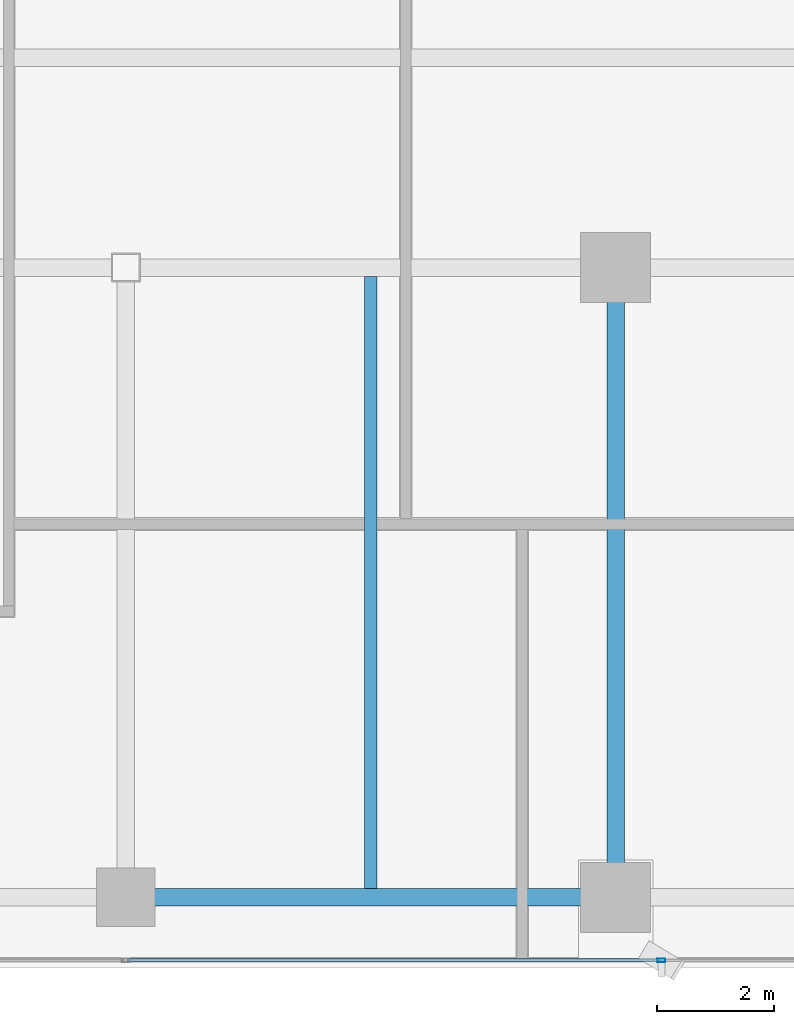
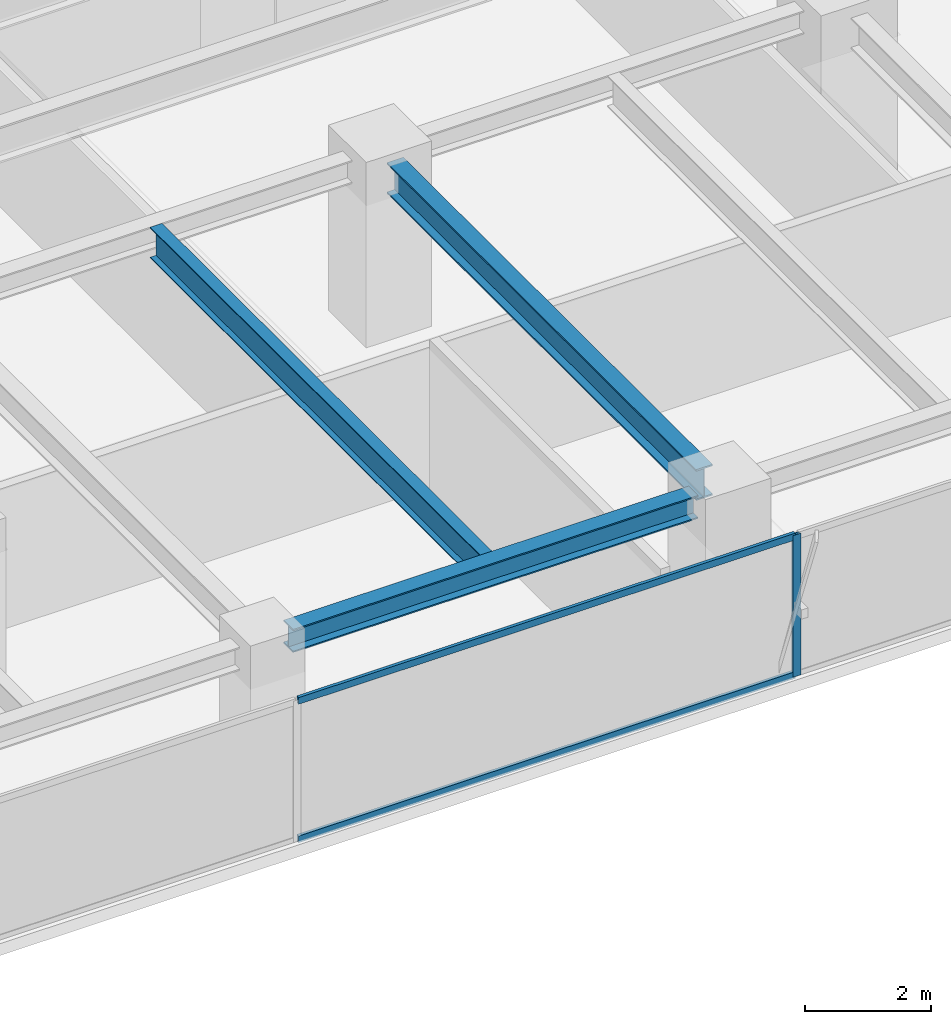
# One storey, part 7 of 26: 3 beams, 3 members, 1 element without a shape of its own.
"""IFC4 building model written with IfcOpenShell, lengths in metres."""

from ifc_helpers import new_model, si_unit, direction, frame, origin, origin_2d, place, context, subcontext, project, spatial, hollow_rectangle, i_section, extrude, source, transform, mapped, material, layer, layer_set, material_profile, profile_set, type_object, element, aggregate, save


model = new_model("IFC4")

# Units and contexts
model_context = context("Model", 3, precision=1e-05, world=origin(), true_north=direction((0.0, 1.0)))
body_context = subcontext(model_context, "Body", "Model", "MODEL_VIEW")
ifc_project = project(units=[si_unit("LENGTHUNIT", "METRE"), si_unit("AREAUNIT", "SQUARE_METRE"), si_unit("VOLUMEUNIT", "CUBIC_METRE"), si_unit("PLANEANGLEUNIT", "RADIAN"), si_unit("MASSUNIT", "GRAM", prefix="KILO")], contexts=[model_context])

# Site, building, storey
site_placement = place(None, origin())
site = spatial("IfcSite", under=ifc_project, at=site_placement, CompositionType="ELEMENT")
building_placement = place(site_placement, origin())
building = spatial("IfcBuilding", under=site, at=building_placement, Name="Sumidabori Civic Tower", CompositionType="ELEMENT")
storey_placement = place(building_placement, frame((0.0, 0.0, 264.800048828125)))
storey = spatial("IfcBuildingStorey", under=building, at=storey_placement, Name="L69", CompositionType="ELEMENT", Elevation=264.800048828125)

# Beams
ifc_material_1 = material(Name="Steel SN490", Category="steel")
ifc_material_profile_1 = material_profile(ifc_material_1, i_section(OverallWidth=0.300048828125, OverallDepth=0.60009765625, WebThickness=0.015380859375, FlangeThickness=0.030029296875, at=origin_2d()), Name="HE 600 B")
ifc_profile_set_1 = profile_set([ifc_material_profile_1], Name="Steel SN490")
beam_type_1 = type_object("IfcBeamType", Name="BM-GIRD-600", PredefinedType="BEAM", material=ifc_profile_set_1)
shared_shape_1 = source(origin(), body_context, "Body", "SweptSolid", [
    extrude(i_section(OverallWidth=0.300048828125, OverallDepth=0.60009765625, WebThickness=0.015380859375, FlangeThickness=0.030029296875, at=origin_2d()), origin(), (0.0, 0.0, 1.0), 9.840087890625),
])
beam_1_placement = place(storey_placement, frame((8.39990234375, -10.320068359375, 3.070068359375), z_axis=(0.0, 1.0, 0.0), x_axis=(-1.0, 0.0, 0.0)))
element("IfcBeam", 1, at=beam_1_placement, inside=storey, type_object=beam_type_1, Name="Primary Girder L69 GY-14", PredefinedType="BEAM", context=body_context, shape_type="MappedRepresentation", body=[
    mapped(shared_shape_1, transform((0.0, 0.0, 0.0), x_axis=(1.0, 0.0, 0.0), y_axis=(0.0, 1.0, 0.0), z_axis=(0.0, 0.0, 1.0), scale=1.0)),
])
ifc_material_profile_2 = material_profile(ifc_material_1, i_section(OverallWidth=0.300048828125, OverallDepth=0.449951171875, WebThickness=0.013916015625, FlangeThickness=0.02587890625, at=origin_2d()), Name="HE 450 B")
ifc_profile_set_2 = profile_set([ifc_material_profile_2], Name="Steel SN490")
beam_type_2 = type_object("IfcBeamType", Name="BM-GIRD-450", PredefinedType="BEAM", material=ifc_profile_set_2)
shared_shape_2 = source(origin(), body_context, "Body", "SweptSolid", [
    extrude(i_section(OverallWidth=0.300048828125, OverallDepth=0.449951171875, WebThickness=0.013916015625, FlangeThickness=0.02587890625, at=origin_2d()), origin(), (0.0, 0.0, 1.0), 7.43994140625),
])
beam_2_placement = place(storey_placement, frame((0.47998046875, -10.800048828125, 3.14501953125), z_axis=(1.0, 0.0, 0.0), x_axis=(0.0, 1.0, 0.0)))
element("IfcBeam", 2, at=beam_2_placement, inside=storey, type_object=beam_type_2, Name="Primary Girder L69 GX-03", PredefinedType="BEAM", context=body_context, shape_type="MappedRepresentation", body=[
    mapped(shared_shape_2, transform((0.0, 0.0, 0.0), x_axis=(1.0, 0.0, 0.0), y_axis=(0.0, 1.0, 0.0), z_axis=(0.0, 0.0, 1.0), scale=1.0)),
])
ifc_material_profile_3 = material_profile(ifc_material_1, i_section(OverallWidth=0.219970703125, OverallDepth=0.60009765625, WebThickness=0.011962890625, FlangeThickness=0.01904296875, at=origin_2d()), Name="IPE 600")
ifc_profile_set_3 = profile_set([ifc_material_profile_3], Name="Steel SN490")
beam_type_3 = type_object("IfcBeamType", Name="BM-JST-600", PredefinedType="JOIST", material=ifc_profile_set_3)
shared_shape_3 = source(origin(), body_context, "Body", "SweptSolid", [
    extrude(i_section(OverallWidth=0.219970703125, OverallDepth=0.60009765625, WebThickness=0.011962890625, FlangeThickness=0.01904296875, at=origin_2d()), origin(), (0.0, 0.0, 1.0), 10.5),
])
beam_3_placement = place(storey_placement, frame((4.199951171875, -10.64990234375, 3.070068359375), z_axis=(0.0, 1.0, 0.0), x_axis=(-1.0, 0.0, 0.0)))
element("IfcBeam", 3, at=beam_3_placement, inside=storey, type_object=beam_type_3, Name="Upper Lens N-S Floor Joist L69 JSTV-22", PredefinedType="JOIST", context=body_context, shape_type="MappedRepresentation", body=[
    mapped(shared_shape_3, transform((0.0, 0.0, 0.0), x_axis=(1.0, 0.0, 0.0), y_axis=(0.0, 1.0, 0.0), z_axis=(0.0, 0.0, 1.0), scale=1.0)),
])

# Curtain wall, members
ifc_material_2 = material(Name="Anodised Bronze Aluminium AW-6063-T6", Category="aluminium")
ifc_layer = layer(ifc_material_2, 0.179931640625, Name="Anodised Bronze Aluminium AW-6063-T6")
ifc_layer_set = layer_set([ifc_layer], Name="Anodised Bronze Aluminium AW-6063-T6")
curtain_wall_type = type_object("IfcCurtainWallType", Name="CW-SYS-5", PredefinedType="NOTDEFINED", material=ifc_layer_set)
curtain_wall_placement = place(storey_placement, origin())
curtain_wall = element("IfcCurtainWall", 4, at=curtain_wall_placement, inside=storey, type_object=curtain_wall_type, Name="Curtain Wall CW:L69:R01", PredefinedType="NOTDEFINED")
ifc_material_profile_4 = material_profile(ifc_material_2, hollow_rectangle(XDim=0.06005859375, YDim=0.1298828125, WallThickness=0.0048828125, at=origin_2d()), Name="ALU TRANSOM 130x60")
ifc_profile_set_4 = profile_set([ifc_material_profile_4], Name="Anodised Bronze Aluminium AW-6063-T6")
member_type_1 = type_object("IfcMemberType", Name="CW-TRN-130", PredefinedType="USERDEFINED", material=ifc_profile_set_4)
shared_shape_4 = source(origin(), body_context, "Body", "SweptSolid", [
    extrude(hollow_rectangle(XDim=0.06005859375, YDim=0.1298828125, WallThickness=0.0048828125, at=origin_2d()), origin(), (0.0, 0.0, 1.0), 9.125),
])
member_1_placement = place(storey_placement, frame((0.030029296875, -11.8798828125, 0.030029296875), z_axis=(1.0, 0.0, 0.0), x_axis=(0.0, 1.0, 0.0)))
member_1 = element("IfcMember", 5, at=member_1_placement, type_object=member_type_1, Name="CW-5 transom 3.1", ObjectType="TRANSOM", PredefinedType="USERDEFINED", context=body_context, shape_type="MappedRepresentation", body=[
    mapped(shared_shape_4, transform((0.0, 0.0, 0.0), x_axis=(1.0, 0.0, 0.0), y_axis=(0.0, 1.0, 0.0), z_axis=(0.0, 0.0, 1.0), scale=1.0)),
])
member_2_placement = place(storey_placement, frame((0.030029296875, -11.8798828125, 2.719970703125), z_axis=(1.0, 0.0, 0.0), x_axis=(0.0, 1.0, 0.0)))
member_2 = element("IfcMember", 6, at=member_2_placement, type_object=member_type_1, Name="CW-5 transom 3.2", ObjectType="TRANSOM", PredefinedType="USERDEFINED", context=body_context, shape_type="MappedRepresentation", body=[
    mapped(shared_shape_4, transform((0.0, 0.0, 0.0), x_axis=(1.0, 0.0, 0.0), y_axis=(0.0, 1.0, 0.0), z_axis=(0.0, 0.0, 1.0), scale=1.0)),
])
ifc_material_profile_5 = material_profile(ifc_material_2, hollow_rectangle(XDim=0.06005859375, YDim=0.139892578125, WallThickness=0.0048828125, at=origin_2d()), Name="ALU MULLION 140x60")
ifc_profile_set_5 = profile_set([ifc_material_profile_5], Name="Anodised Bronze Aluminium AW-6063-T6")
member_type_2 = type_object("IfcMemberType", Name="CW-MUL-140", PredefinedType="MULLION", material=ifc_profile_set_5)
shared_shape_5 = source(origin(), body_context, "Body", "SweptSolid", [
    extrude(hollow_rectangle(XDim=0.06005859375, YDim=0.139892578125, WallThickness=0.0048828125, at=origin_2d()), origin(), (0.0, 0.0, 1.0), 2.75),
])
member_3_placement = place(storey_placement, frame((9.18505859375, -11.8798828125, 0.0), z_axis=(0.0, 0.0, 1.0), x_axis=(0.0, 1.0, 0.0)))
member_3 = element("IfcMember", 7, at=member_3_placement, type_object=member_type_2, Name="CW-5 mullion 4", PredefinedType="MULLION", context=body_context, shape_type="MappedRepresentation", body=[
    mapped(shared_shape_5, transform((0.0, 0.0, 0.0), x_axis=(1.0, 0.0, 0.0), y_axis=(0.0, 1.0, 0.0), z_axis=(0.0, 0.0, 1.0), scale=1.0)),
])
aggregate(curtain_wall, [member_3, member_1, member_2])

save(model, "model.ifc")
